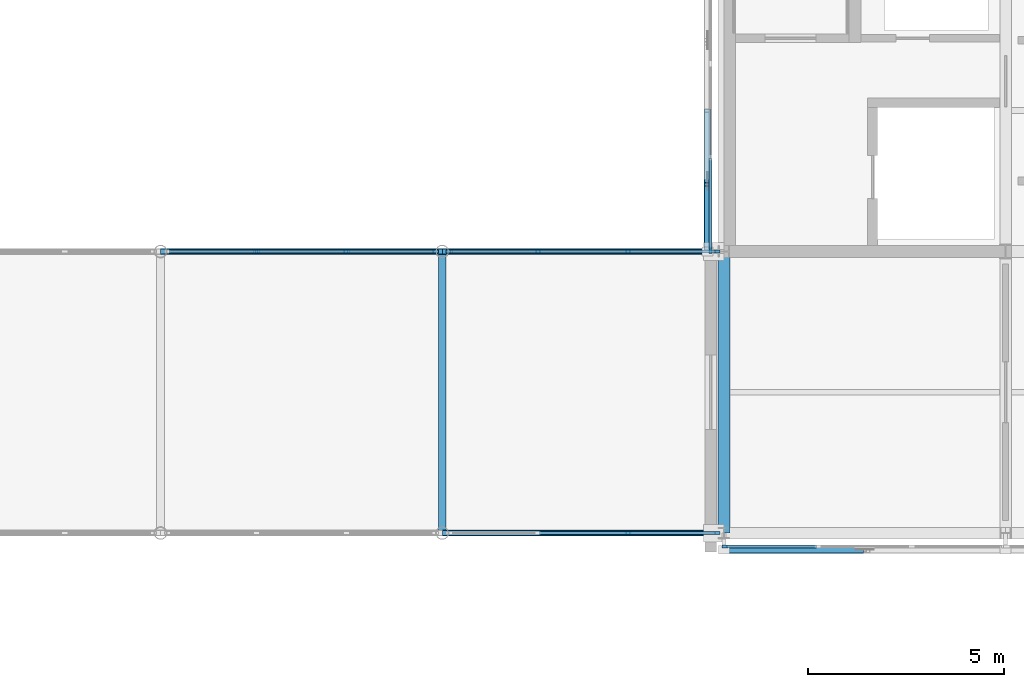
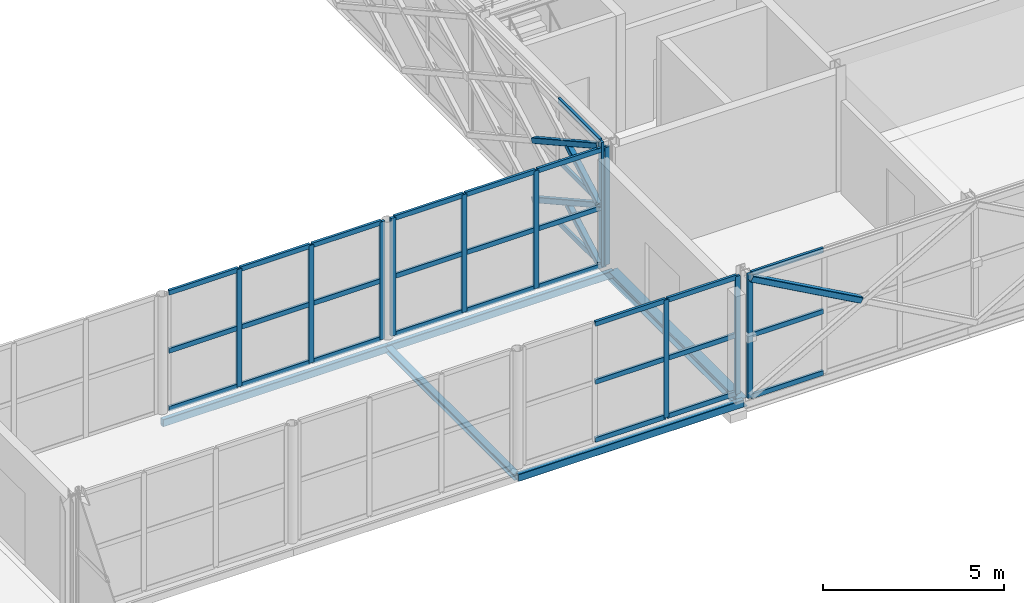
# One storey, part 49 of 103: 46 members, 5 beams, 5 elements without a shape of their own.
"""IFC4 building model written with IfcOpenShell, lengths in metres."""

from ifc_helpers import new_model, si_unit, direction, frame, origin, origin_2d, place, context, subcontext, project, spatial, rectangle, hollow_rectangle, i_section, extrude, material, material_profile, profile_set, type_object, element, aggregate, save


model = new_model("IFC4")

# Units and contexts
model_context = context("Model", 3, precision=1e-05, world=origin(), true_north=direction((0.0, 1.0)))
body_context = subcontext(model_context, "Body", "Model", "MODEL_VIEW")
ifc_project = project(units=[si_unit("LENGTHUNIT", "METRE"), si_unit("AREAUNIT", "SQUARE_METRE"), si_unit("VOLUMEUNIT", "CUBIC_METRE"), si_unit("PLANEANGLEUNIT", "RADIAN"), si_unit("MASSUNIT", "GRAM", prefix="KILO")], contexts=[model_context])

# Site, building, storey
site_placement = place(None, origin())
site = spatial("IfcSite", under=ifc_project, at=site_placement, CompositionType="ELEMENT")
building_placement = place(site_placement, origin())
building = spatial("IfcBuilding", under=site, at=building_placement, Name="Zlatovets Crest Museum", CompositionType="ELEMENT")
storey_placement = place(building_placement, frame((0.0, 0.0, 12.89990234375)))
storey = spatial("IfcBuildingStorey", under=building, at=storey_placement, Name="L03", CompositionType="ELEMENT", Elevation=12.89990234375)

# Beams
ifc_material_1 = material(Name="Structural steel S355J2", Category="steel")
ifc_material_profile_1 = material_profile(ifc_material_1, i_section(OverallWidth=0.300048828125, OverallDepth=0.31005859375, WebThickness=0.009033203125, FlangeThickness=0.015380859375, FilletRadius=0.027099609375, at=origin_2d()), Name="HEA 320")
ifc_profile_set_1 = profile_set([ifc_material_profile_1], Name="Structural steel S355J2")
beam_type_1 = type_object("IfcBeamType", Name="Beam_B-04", PredefinedType="BEAM", material=ifc_profile_set_1)
beam_1_placement = place(storey_placement, frame((57.60009765625, 86.39990234375, -0.39501953125), z_axis=(0.0, 1.0, 0.0), x_axis=(-1.0, 0.0, 0.0)))
element("IfcBeam", 1, at=beam_1_placement, inside=storey, type_object=beam_type_1, Name="V1 L03 Grid Beam B-04", PredefinedType="BEAM", context=body_context, shape_type="SweptSolid", body=[
    extrude(i_section(OverallWidth=0.300048828125, OverallDepth=0.31005859375, WebThickness=0.009033203125, FlangeThickness=0.015380859375, FilletRadius=0.027099609375, at=origin_2d()), origin(), (0.0, 0.0, 1.0), 7.2001953125),
])
ifc_material_profile_2 = material_profile(ifc_material_1, i_section(OverallWidth=0.199951171875, OverallDepth=0.18994140625, WebThickness=0.006591796875, FlangeThickness=0.010009765625, FilletRadius=0.01806640625, at=origin_2d()), Name="HEA 200")
ifc_profile_set_2 = profile_set([ifc_material_profile_2], Name="Structural steel S355J2")
beam_type_2 = type_object("IfcBeamType", Name="Beam_B-15", PredefinedType="BEAM", material=ifc_profile_set_2)
beam_2_placement = place(storey_placement, frame((50.39990234375, 86.39990234375, -0.364990234375), z_axis=(0.0, 1.0, 0.0), x_axis=(-1.0, 0.0, 0.0)))
element("IfcBeam", 2, at=beam_2_placement, inside=storey, type_object=beam_type_2, Name="Northwest Crest Glazed Link Bridge L03 Cross Beam", PredefinedType="BEAM", context=body_context, shape_type="SweptSolid", body=[
    extrude(i_section(OverallWidth=0.199951171875, OverallDepth=0.18994140625, WebThickness=0.006591796875, FlangeThickness=0.010009765625, FilletRadius=0.01806640625, at=origin_2d()), origin(), (0.0, 0.0, 1.0), 7.2001953125),
])
ifc_material_profile_3 = material_profile(ifc_material_1, hollow_rectangle(XDim=0.14990234375, YDim=0.25, WallThickness=0.010009765625, InnerFilletRadius=0.010009765625, OuterFilletRadius=0.02001953125, at=origin_2d()), Name="RHS 150x250x10.0")
ifc_profile_set_3 = profile_set([ifc_material_profile_3], Name="Structural steel S355J2")
beam_type_3 = type_object("IfcBeamType", Name="Beam_BRG-03", PredefinedType="BEAM", material=ifc_profile_set_3)
beam_3_placement = place(storey_placement, frame((50.39990234375, 86.39990234375, -0.364990234375), z_axis=(1.0, 0.0, 0.0), x_axis=(0.0, 1.0, 0.0)))
element("IfcBeam", 3, at=beam_3_placement, inside=storey, type_object=beam_type_3, Name="Northwest Crest Glazed Link Bridge L03 Stringer Beam", PredefinedType="BEAM", context=body_context, shape_type="SweptSolid", body=[
    extrude(hollow_rectangle(XDim=0.14990234375, YDim=0.25, WallThickness=0.010009765625, InnerFilletRadius=0.010009765625, OuterFilletRadius=0.02001953125, at=origin_2d()), origin(), (0.0, 0.0, 1.0), 7.2001953125),
])
beam_4_placement = place(storey_placement, frame((43.199951171875, 93.60009765625, -0.364990234375), z_axis=(1.0, 0.0, 0.0), x_axis=(0.0, 1.0, 0.0)))
element("IfcBeam", 4, at=beam_4_placement, inside=storey, type_object=beam_type_3, Name="Northwest Crest Glazed Link Bridge L03 Stringer Beam", PredefinedType="BEAM", context=body_context, shape_type="SweptSolid", body=[
    extrude(hollow_rectangle(XDim=0.14990234375, YDim=0.25, WallThickness=0.010009765625, InnerFilletRadius=0.010009765625, OuterFilletRadius=0.02001953125, at=origin_2d()), origin(), (0.0, 0.0, 1.0), 7.199951171875),
])
beam_5_placement = place(storey_placement, frame((50.39990234375, 93.60009765625, -0.364990234375), z_axis=(1.0, 0.0, 0.0), x_axis=(0.0, 1.0, 0.0)))
element("IfcBeam", 5, at=beam_5_placement, inside=storey, type_object=beam_type_3, Name="Northwest Crest Glazed Link Bridge L03 Stringer Beam", PredefinedType="BEAM", context=body_context, shape_type="SweptSolid", body=[
    extrude(hollow_rectangle(XDim=0.14990234375, YDim=0.25, WallThickness=0.010009765625, InnerFilletRadius=0.010009765625, OuterFilletRadius=0.02001953125, at=origin_2d()), origin(), (0.0, 0.0, 1.0), 7.2001953125),
])

# Curtain wall, member
ifc_material_2 = material(Name="Bronze-anodised aluminium and low-E triple glass", Category="aluminium")
curtain_wall_type_1 = type_object("IfcCurtainWallType", Name="CW_CW-V1-L03-M0", PredefinedType="NOTDEFINED", material=ifc_material_2)
curtain_wall_1_placement = place(storey_placement, origin())
curtain_wall_1 = element("IfcCurtainWall", 6, at=curtain_wall_1_placement, inside=storey, type_object=curtain_wall_type_1, Name="V1 L03 Secession Foyer Clear Curtain Wall", PredefinedType="NOTDEFINED")
ifc_material_3 = material(Name="Bronze-anodised aluminium EN AW-6060", Category="aluminium")
ifc_material_profile_4 = material_profile(ifc_material_3, rectangle(XDim=0.080078125, YDim=0.159912109375, at=origin_2d()), Name="ALU 80x160")
ifc_profile_set_4 = profile_set([ifc_material_profile_4], Name="Bronze-anodised aluminium EN AW-6060")
member_type_1 = type_object("IfcMemberType", Name="CWMull_M1", PredefinedType="MULLION", material=ifc_profile_set_4)
member_1_placement = place(storey_placement, frame((57.6298828125, 86.06005859375, 0.0), z_axis=(0.0, 0.0, 1.0), x_axis=(0.0, 1.0, 0.0)))
member_1 = element("IfcMember", 7, at=member_1_placement, type_object=member_type_1, Name="CW-V1-L03-M0 mullion 1", PredefinedType="MULLION", context=body_context, shape_type="SweptSolid", body=[
    extrude(rectangle(XDim=0.080078125, YDim=0.159912109375, at=origin_2d()), origin(), (0.0, 0.0, 1.0), 4.2001953125),
])

curtain_wall_2_placement = place(storey_placement, origin())
curtain_wall_2 = element("IfcCurtainWall", 8, at=curtain_wall_2_placement, inside=storey, type_object=curtain_wall_type_1, Name="V1 L03 Expressed Core Glazed Facade", PredefinedType="NOTDEFINED")
member_2_placement = place(storey_placement, frame((57.260009765625, 93.6298828125, 0.0), z_axis=(0.0, 0.0, 1.0), x_axis=(1.0, 0.0, 0.0)))
member_2 = element("IfcMember", 9, at=member_2_placement, type_object=member_type_1, Name="CW-V1-L03-M0 mullion 4", PredefinedType="MULLION", context=body_context, shape_type="SweptSolid", body=[
    extrude(rectangle(XDim=0.080078125, YDim=0.159912109375, at=origin_2d()), origin(), (0.0, 0.0, 1.0), 4.2001953125),
])

# Curtain wall, members
curtain_wall_type_2 = type_object("IfcCurtainWallType", Name="CW_CW-BR3-L03-S69", PredefinedType="NOTDEFINED", material=ifc_material_2)
curtain_wall_3_placement = place(storey_placement, origin())
curtain_wall_3 = element("IfcCurtainWall", 10, at=curtain_wall_3_placement, inside=storey, type_object=curtain_wall_type_2, Name="Northwest Crest Glazed Link Bridge L03 Glazed Bridge Curtain Wall", PredefinedType="NOTDEFINED")
member_3_placement = place(storey_placement, frame((55.14990234375, 86.39990234375, 0.0), z_axis=(0.0, 0.0, 1.0), x_axis=(0.0, 1.0, 0.0)))
member_3 = element("IfcMember", 11, at=member_3_placement, type_object=member_type_1, Name="CW-BR3-L03-S69 mullion 3", PredefinedType="MULLION", context=body_context, shape_type="SweptSolid", body=[
    extrude(rectangle(XDim=0.080078125, YDim=0.159912109375, at=origin_2d()), origin(), (0.0, 0.0, 1.0), 3.97998046875),
])
member_4_placement = place(storey_placement, frame((57.419921875, 86.39990234375, 0.0), z_axis=(0.0, 0.0, 1.0), x_axis=(0.0, 1.0, 0.0)))
member_4 = element("IfcMember", 12, at=member_4_placement, type_object=member_type_1, Name="CW-BR3-L03-S69 mullion 4", PredefinedType="MULLION", context=body_context, shape_type="SweptSolid", body=[
    extrude(rectangle(XDim=0.080078125, YDim=0.159912109375, at=origin_2d()), origin(), (0.0, 0.0, 1.0), 3.97998046875),
])

curtain_wall_4_placement = place(storey_placement, origin())
curtain_wall_4 = element("IfcCurtainWall", 13, at=curtain_wall_4_placement, inside=storey, type_object=curtain_wall_type_2, Name="Northwest Crest Glazed Link Bridge L03 Glazed Bridge Curtain Wall", PredefinedType="NOTDEFINED")
member_5_placement = place(storey_placement, frame((45.64990234375, 93.60009765625, 0.0), z_axis=(0.0, 0.0, 1.0), x_axis=(0.0, 1.0, 0.0)))
member_5 = element("IfcMember", 14, at=member_5_placement, type_object=member_type_1, Name="CW-BR3-L03-S69 mullion 2", PredefinedType="MULLION", context=body_context, shape_type="SweptSolid", body=[
    extrude(rectangle(XDim=0.080078125, YDim=0.159912109375, at=origin_2d()), origin(), (0.0, 0.0, 1.0), 3.97998046875),
])
member_6_placement = place(storey_placement, frame((47.949951171875, 93.60009765625, 0.0), z_axis=(0.0, 0.0, 1.0), x_axis=(0.0, 1.0, 0.0)))
member_6 = element("IfcMember", 15, at=member_6_placement, type_object=member_type_1, Name="CW-BR3-L03-S69 mullion 3", PredefinedType="MULLION", context=body_context, shape_type="SweptSolid", body=[
    extrude(rectangle(XDim=0.080078125, YDim=0.159912109375, at=origin_2d()), origin(), (0.0, 0.0, 1.0), 3.97998046875),
])
member_7_placement = place(storey_placement, frame((50.219970703125, 93.60009765625, 0.0), z_axis=(0.0, 0.0, 1.0), x_axis=(0.0, 1.0, 0.0)))
member_7 = element("IfcMember", 16, at=member_7_placement, type_object=member_type_1, Name="CW-BR3-L03-S69 mullion 4", PredefinedType="MULLION", context=body_context, shape_type="SweptSolid", body=[
    extrude(rectangle(XDim=0.080078125, YDim=0.159912109375, at=origin_2d()), origin(), (0.0, 0.0, 1.0), 3.97998046875),
])

curtain_wall_5_placement = place(storey_placement, origin())
curtain_wall_5 = element("IfcCurtainWall", 17, at=curtain_wall_5_placement, inside=storey, type_object=curtain_wall_type_2, Name="Northwest Crest Glazed Link Bridge L03 Glazed Bridge Curtain Wall", PredefinedType="NOTDEFINED")
member_8_placement = place(storey_placement, frame((50.580078125, 93.60009765625, 0.0), z_axis=(0.0, 0.0, 1.0), x_axis=(0.0, 1.0, 0.0)))
member_8 = element("IfcMember", 18, at=member_8_placement, type_object=member_type_1, Name="CW-BR3-L03-S69 mullion 1", PredefinedType="MULLION", context=body_context, shape_type="SweptSolid", body=[
    extrude(rectangle(XDim=0.080078125, YDim=0.159912109375, at=origin_2d()), origin(), (0.0, 0.0, 1.0), 3.97998046875),
])
member_9_placement = place(storey_placement, frame((52.85009765625, 93.60009765625, 0.0), z_axis=(0.0, 0.0, 1.0), x_axis=(0.0, 1.0, 0.0)))
member_9 = element("IfcMember", 19, at=member_9_placement, type_object=member_type_1, Name="CW-BR3-L03-S69 mullion 2", PredefinedType="MULLION", context=body_context, shape_type="SweptSolid", body=[
    extrude(rectangle(XDim=0.080078125, YDim=0.159912109375, at=origin_2d()), origin(), (0.0, 0.0, 1.0), 3.97998046875),
])
member_10_placement = place(storey_placement, frame((55.14990234375, 93.60009765625, 0.0), z_axis=(0.0, 0.0, 1.0), x_axis=(0.0, 1.0, 0.0)))
member_10 = element("IfcMember", 20, at=member_10_placement, type_object=member_type_1, Name="CW-BR3-L03-S69 mullion 3", PredefinedType="MULLION", context=body_context, shape_type="SweptSolid", body=[
    extrude(rectangle(XDim=0.080078125, YDim=0.159912109375, at=origin_2d()), origin(), (0.0, 0.0, 1.0), 3.97998046875),
])
member_11_placement = place(storey_placement, frame((57.419921875, 93.60009765625, 0.0), z_axis=(0.0, 0.0, 1.0), x_axis=(0.0, 1.0, 0.0)))
member_11 = element("IfcMember", 21, at=member_11_placement, type_object=member_type_1, Name="CW-BR3-L03-S69 mullion 4", PredefinedType="MULLION", context=body_context, shape_type="SweptSolid", body=[
    extrude(rectangle(XDim=0.080078125, YDim=0.159912109375, at=origin_2d()), origin(), (0.0, 0.0, 1.0), 3.97998046875),
])

# Member
ifc_material_profile_5 = material_profile(ifc_material_3, rectangle(XDim=0.080078125, YDim=0.159912109375, at=origin_2d()), Name="ALU 80x160")
ifc_profile_set_5 = profile_set([ifc_material_profile_5], Name="Bronze-anodised aluminium EN AW-6060")
member_type_2 = type_object("IfcMemberType", Name="CWTrans_T1", PredefinedType="USERDEFINED", material=ifc_profile_set_5)
member_12_placement = place(storey_placement, frame((57.659912109375, 86.06005859375, 0.030029296875), z_axis=(1.0, 0.0, 0.0), x_axis=(0.0, 1.0, 0.0)))
member_12 = element("IfcMember", 22, at=member_12_placement, type_object=member_type_2, Name="CW-V1-L03-M0 transom 1.1", ObjectType="TRANSOM", PredefinedType="USERDEFINED", context=body_context, shape_type="SweptSolid", body=[
    extrude(rectangle(XDim=0.080078125, YDim=0.159912109375, at=origin_2d()), origin(), (0.0, 0.0, 1.0), 2.31005859375),
])

member_13_placement = place(storey_placement, frame((57.659912109375, 86.06005859375, 2.10009765625), z_axis=(1.0, 0.0, 0.0), x_axis=(0.0, 1.0, 0.0)))
member_13 = element("IfcMember", 23, at=member_13_placement, type_object=member_type_2, Name="CW-V1-L03-M0 transom 1.2", ObjectType="TRANSOM", PredefinedType="USERDEFINED", context=body_context, shape_type="SweptSolid", body=[
    extrude(rectangle(XDim=0.080078125, YDim=0.159912109375, at=origin_2d()), origin(), (0.0, 0.0, 1.0), 2.31005859375),
])

member_14_placement = place(storey_placement, frame((57.659912109375, 86.06005859375, 4.170166015625), z_axis=(1.0, 0.0, 0.0), x_axis=(0.0, 1.0, 0.0)))
member_14 = element("IfcMember", 24, at=member_14_placement, type_object=member_type_2, Name="CW-V1-L03-M0 transom 1.3", ObjectType="TRANSOM", PredefinedType="USERDEFINED", context=body_context, shape_type="SweptSolid", body=[
    extrude(rectangle(XDim=0.080078125, YDim=0.159912109375, at=origin_2d()), origin(), (0.0, 0.0, 1.0), 2.31005859375),
])

aggregate(curtain_wall_1, [member_1, member_12, member_13, member_14])

member_15_placement = place(storey_placement, frame((57.260009765625, 95.969970703125, 0.030029296875), z_axis=(0.0, -1.0, 0.0), x_axis=(1.0, 0.0, 0.0)))
member_15 = element("IfcMember", 25, at=member_15_placement, type_object=member_type_2, Name="CW-V1-L03-M0 transom 3.1", ObjectType="TRANSOM", PredefinedType="USERDEFINED", context=body_context, shape_type="SweptSolid", body=[
    extrude(rectangle(XDim=0.080078125, YDim=0.159912109375, at=origin_2d()), origin(), (0.0, 0.0, 1.0), 2.31005859375),
])

member_16_placement = place(storey_placement, frame((57.260009765625, 95.969970703125, 2.10009765625), z_axis=(0.0, -1.0, 0.0), x_axis=(1.0, 0.0, 0.0)))
member_16 = element("IfcMember", 26, at=member_16_placement, type_object=member_type_2, Name="CW-V1-L03-M0 transom 3.2", ObjectType="TRANSOM", PredefinedType="USERDEFINED", context=body_context, shape_type="SweptSolid", body=[
    extrude(rectangle(XDim=0.080078125, YDim=0.159912109375, at=origin_2d()), origin(), (0.0, 0.0, 1.0), 2.31005859375),
])

member_17_placement = place(storey_placement, frame((57.260009765625, 95.969970703125, 4.170166015625), z_axis=(0.0, -1.0, 0.0), x_axis=(1.0, 0.0, 0.0)))
member_17 = element("IfcMember", 27, at=member_17_placement, type_object=member_type_2, Name="CW-V1-L03-M0 transom 3.3", ObjectType="TRANSOM", PredefinedType="USERDEFINED", context=body_context, shape_type="SweptSolid", body=[
    extrude(rectangle(XDim=0.080078125, YDim=0.159912109375, at=origin_2d()), origin(), (0.0, 0.0, 1.0), 2.31005859375),
])

aggregate(curtain_wall_2, [member_2, member_15, member_16, member_17])

member_18_placement = place(storey_placement, frame((52.8798828125, 86.39990234375, 0.030029296875), z_axis=(1.0, 0.0, 0.0), x_axis=(0.0, 1.0, 0.0)))
member_18 = element("IfcMember", 28, at=member_18_placement, type_object=member_type_2, Name="CW-BR3-L03-S69 transom 2.1", ObjectType="TRANSOM", PredefinedType="USERDEFINED", context=body_context, shape_type="SweptSolid", body=[
    extrude(rectangle(XDim=0.080078125, YDim=0.159912109375, at=origin_2d()), origin(), (0.0, 0.0, 1.0), 2.240234375),
])

member_19_placement = place(storey_placement, frame((52.8798828125, 86.39990234375, 1.989990234375), z_axis=(1.0, 0.0, 0.0), x_axis=(0.0, 1.0, 0.0)))
member_19 = element("IfcMember", 29, at=member_19_placement, type_object=member_type_2, Name="CW-BR3-L03-S69 transom 2.2", ObjectType="TRANSOM", PredefinedType="USERDEFINED", context=body_context, shape_type="SweptSolid", body=[
    extrude(rectangle(XDim=0.080078125, YDim=0.159912109375, at=origin_2d()), origin(), (0.0, 0.0, 1.0), 2.240234375),
])

member_20_placement = place(storey_placement, frame((52.8798828125, 86.39990234375, 3.9501953125), z_axis=(1.0, 0.0, 0.0), x_axis=(0.0, 1.0, 0.0)))
member_20 = element("IfcMember", 30, at=member_20_placement, type_object=member_type_2, Name="CW-BR3-L03-S69 transom 2.3", ObjectType="TRANSOM", PredefinedType="USERDEFINED", context=body_context, shape_type="SweptSolid", body=[
    extrude(rectangle(XDim=0.080078125, YDim=0.159912109375, at=origin_2d()), origin(), (0.0, 0.0, 1.0), 2.240234375),
])

member_21_placement = place(storey_placement, frame((55.179931640625, 86.39990234375, 0.030029296875), z_axis=(1.0, 0.0, 0.0), x_axis=(0.0, 1.0, 0.0)))
member_21 = element("IfcMember", 31, at=member_21_placement, type_object=member_type_2, Name="CW-BR3-L03-S69 transom 3.1", ObjectType="TRANSOM", PredefinedType="USERDEFINED", context=body_context, shape_type="SweptSolid", body=[
    extrude(rectangle(XDim=0.080078125, YDim=0.159912109375, at=origin_2d()), origin(), (0.0, 0.0, 1.0), 2.2099609375),
])

member_22_placement = place(storey_placement, frame((55.179931640625, 86.39990234375, 1.989990234375), z_axis=(1.0, 0.0, 0.0), x_axis=(0.0, 1.0, 0.0)))
member_22 = element("IfcMember", 32, at=member_22_placement, type_object=member_type_2, Name="CW-BR3-L03-S69 transom 3.2", ObjectType="TRANSOM", PredefinedType="USERDEFINED", context=body_context, shape_type="SweptSolid", body=[
    extrude(rectangle(XDim=0.080078125, YDim=0.159912109375, at=origin_2d()), origin(), (0.0, 0.0, 1.0), 2.2099609375),
])

member_23_placement = place(storey_placement, frame((55.179931640625, 86.39990234375, 3.9501953125), z_axis=(1.0, 0.0, 0.0), x_axis=(0.0, 1.0, 0.0)))
member_23 = element("IfcMember", 33, at=member_23_placement, type_object=member_type_2, Name="CW-BR3-L03-S69 transom 3.3", ObjectType="TRANSOM", PredefinedType="USERDEFINED", context=body_context, shape_type="SweptSolid", body=[
    extrude(rectangle(XDim=0.080078125, YDim=0.159912109375, at=origin_2d()), origin(), (0.0, 0.0, 1.0), 2.2099609375),
])

aggregate(curtain_wall_3, [member_3, member_4, member_18, member_19, member_20, member_21, member_22, member_23])

member_24_placement = place(storey_placement, frame((43.409912109375, 93.60009765625, 0.030029296875), z_axis=(1.0, 0.0, 0.0), x_axis=(0.0, 1.0, 0.0)))
member_24 = element("IfcMember", 34, at=member_24_placement, type_object=member_type_2, Name="CW-BR3-L03-S69 transom 1.1", ObjectType="TRANSOM", PredefinedType="USERDEFINED", context=body_context, shape_type="SweptSolid", body=[
    extrude(rectangle(XDim=0.080078125, YDim=0.159912109375, at=origin_2d()), origin(), (0.0, 0.0, 1.0), 2.210205078125),
])

member_25_placement = place(storey_placement, frame((43.409912109375, 93.60009765625, 1.989990234375), z_axis=(1.0, 0.0, 0.0), x_axis=(0.0, 1.0, 0.0)))
member_25 = element("IfcMember", 35, at=member_25_placement, type_object=member_type_2, Name="CW-BR3-L03-S69 transom 1.2", ObjectType="TRANSOM", PredefinedType="USERDEFINED", context=body_context, shape_type="SweptSolid", body=[
    extrude(rectangle(XDim=0.080078125, YDim=0.159912109375, at=origin_2d()), origin(), (0.0, 0.0, 1.0), 2.210205078125),
])

member_26_placement = place(storey_placement, frame((43.409912109375, 93.60009765625, 3.9501953125), z_axis=(1.0, 0.0, 0.0), x_axis=(0.0, 1.0, 0.0)))
member_26 = element("IfcMember", 36, at=member_26_placement, type_object=member_type_2, Name="CW-BR3-L03-S69 transom 1.3", ObjectType="TRANSOM", PredefinedType="USERDEFINED", context=body_context, shape_type="SweptSolid", body=[
    extrude(rectangle(XDim=0.080078125, YDim=0.159912109375, at=origin_2d()), origin(), (0.0, 0.0, 1.0), 2.210205078125),
])

member_27_placement = place(storey_placement, frame((45.679931640625, 93.60009765625, 0.030029296875), z_axis=(1.0, 0.0, 0.0), x_axis=(0.0, 1.0, 0.0)))
member_27 = element("IfcMember", 37, at=member_27_placement, type_object=member_type_2, Name="CW-BR3-L03-S69 transom 2.1", ObjectType="TRANSOM", PredefinedType="USERDEFINED", context=body_context, shape_type="SweptSolid", body=[
    extrude(rectangle(XDim=0.080078125, YDim=0.159912109375, at=origin_2d()), origin(), (0.0, 0.0, 1.0), 2.239990234375),
])

member_28_placement = place(storey_placement, frame((45.679931640625, 93.60009765625, 1.989990234375), z_axis=(1.0, 0.0, 0.0), x_axis=(0.0, 1.0, 0.0)))
member_28 = element("IfcMember", 38, at=member_28_placement, type_object=member_type_2, Name="CW-BR3-L03-S69 transom 2.2", ObjectType="TRANSOM", PredefinedType="USERDEFINED", context=body_context, shape_type="SweptSolid", body=[
    extrude(rectangle(XDim=0.080078125, YDim=0.159912109375, at=origin_2d()), origin(), (0.0, 0.0, 1.0), 2.239990234375),
])

member_29_placement = place(storey_placement, frame((45.679931640625, 93.60009765625, 3.9501953125), z_axis=(1.0, 0.0, 0.0), x_axis=(0.0, 1.0, 0.0)))
member_29 = element("IfcMember", 39, at=member_29_placement, type_object=member_type_2, Name="CW-BR3-L03-S69 transom 2.3", ObjectType="TRANSOM", PredefinedType="USERDEFINED", context=body_context, shape_type="SweptSolid", body=[
    extrude(rectangle(XDim=0.080078125, YDim=0.159912109375, at=origin_2d()), origin(), (0.0, 0.0, 1.0), 2.239990234375),
])

member_30_placement = place(storey_placement, frame((47.97998046875, 93.60009765625, 0.030029296875), z_axis=(1.0, 0.0, 0.0), x_axis=(0.0, 1.0, 0.0)))
member_30 = element("IfcMember", 40, at=member_30_placement, type_object=member_type_2, Name="CW-BR3-L03-S69 transom 3.1", ObjectType="TRANSOM", PredefinedType="USERDEFINED", context=body_context, shape_type="SweptSolid", body=[
    extrude(rectangle(XDim=0.080078125, YDim=0.159912109375, at=origin_2d()), origin(), (0.0, 0.0, 1.0), 2.2099609375),
])

member_31_placement = place(storey_placement, frame((47.97998046875, 93.60009765625, 1.989990234375), z_axis=(1.0, 0.0, 0.0), x_axis=(0.0, 1.0, 0.0)))
member_31 = element("IfcMember", 41, at=member_31_placement, type_object=member_type_2, Name="CW-BR3-L03-S69 transom 3.2", ObjectType="TRANSOM", PredefinedType="USERDEFINED", context=body_context, shape_type="SweptSolid", body=[
    extrude(rectangle(XDim=0.080078125, YDim=0.159912109375, at=origin_2d()), origin(), (0.0, 0.0, 1.0), 2.2099609375),
])

member_32_placement = place(storey_placement, frame((47.97998046875, 93.60009765625, 3.9501953125), z_axis=(1.0, 0.0, 0.0), x_axis=(0.0, 1.0, 0.0)))
member_32 = element("IfcMember", 42, at=member_32_placement, type_object=member_type_2, Name="CW-BR3-L03-S69 transom 3.3", ObjectType="TRANSOM", PredefinedType="USERDEFINED", context=body_context, shape_type="SweptSolid", body=[
    extrude(rectangle(XDim=0.080078125, YDim=0.159912109375, at=origin_2d()), origin(), (0.0, 0.0, 1.0), 2.2099609375),
])

aggregate(curtain_wall_4, [member_5, member_6, member_7, member_24, member_25, member_26, member_27, member_28, member_29, member_30, member_31, member_32])

member_33_placement = place(storey_placement, frame((50.610107421875, 93.60009765625, 0.030029296875), z_axis=(1.0, 0.0, 0.0), x_axis=(0.0, 1.0, 0.0)))
member_33 = element("IfcMember", 43, at=member_33_placement, type_object=member_type_2, Name="CW-BR3-L03-S69 transom 1.1", ObjectType="TRANSOM", PredefinedType="USERDEFINED", context=body_context, shape_type="SweptSolid", body=[
    extrude(rectangle(XDim=0.080078125, YDim=0.159912109375, at=origin_2d()), origin(), (0.0, 0.0, 1.0), 2.2099609375),
])

member_34_placement = place(storey_placement, frame((50.610107421875, 93.60009765625, 1.989990234375), z_axis=(1.0, 0.0, 0.0), x_axis=(0.0, 1.0, 0.0)))
member_34 = element("IfcMember", 44, at=member_34_placement, type_object=member_type_2, Name="CW-BR3-L03-S69 transom 1.2", ObjectType="TRANSOM", PredefinedType="USERDEFINED", context=body_context, shape_type="SweptSolid", body=[
    extrude(rectangle(XDim=0.080078125, YDim=0.159912109375, at=origin_2d()), origin(), (0.0, 0.0, 1.0), 2.2099609375),
])

member_35_placement = place(storey_placement, frame((50.610107421875, 93.60009765625, 3.9501953125), z_axis=(1.0, 0.0, 0.0), x_axis=(0.0, 1.0, 0.0)))
member_35 = element("IfcMember", 45, at=member_35_placement, type_object=member_type_2, Name="CW-BR3-L03-S69 transom 1.3", ObjectType="TRANSOM", PredefinedType="USERDEFINED", context=body_context, shape_type="SweptSolid", body=[
    extrude(rectangle(XDim=0.080078125, YDim=0.159912109375, at=origin_2d()), origin(), (0.0, 0.0, 1.0), 2.2099609375),
])

member_36_placement = place(storey_placement, frame((52.8798828125, 93.60009765625, 0.030029296875), z_axis=(1.0, 0.0, 0.0), x_axis=(0.0, 1.0, 0.0)))
member_36 = element("IfcMember", 46, at=member_36_placement, type_object=member_type_2, Name="CW-BR3-L03-S69 transom 2.1", ObjectType="TRANSOM", PredefinedType="USERDEFINED", context=body_context, shape_type="SweptSolid", body=[
    extrude(rectangle(XDim=0.080078125, YDim=0.159912109375, at=origin_2d()), origin(), (0.0, 0.0, 1.0), 2.240234375),
])

member_37_placement = place(storey_placement, frame((52.8798828125, 93.60009765625, 1.989990234375), z_axis=(1.0, 0.0, 0.0), x_axis=(0.0, 1.0, 0.0)))
member_37 = element("IfcMember", 47, at=member_37_placement, type_object=member_type_2, Name="CW-BR3-L03-S69 transom 2.2", ObjectType="TRANSOM", PredefinedType="USERDEFINED", context=body_context, shape_type="SweptSolid", body=[
    extrude(rectangle(XDim=0.080078125, YDim=0.159912109375, at=origin_2d()), origin(), (0.0, 0.0, 1.0), 2.240234375),
])

member_38_placement = place(storey_placement, frame((52.8798828125, 93.60009765625, 3.9501953125), z_axis=(1.0, 0.0, 0.0), x_axis=(0.0, 1.0, 0.0)))
member_38 = element("IfcMember", 48, at=member_38_placement, type_object=member_type_2, Name="CW-BR3-L03-S69 transom 2.3", ObjectType="TRANSOM", PredefinedType="USERDEFINED", context=body_context, shape_type="SweptSolid", body=[
    extrude(rectangle(XDim=0.080078125, YDim=0.159912109375, at=origin_2d()), origin(), (0.0, 0.0, 1.0), 2.240234375),
])

member_39_placement = place(storey_placement, frame((55.179931640625, 93.60009765625, 0.030029296875), z_axis=(1.0, 0.0, 0.0), x_axis=(0.0, 1.0, 0.0)))
member_39 = element("IfcMember", 49, at=member_39_placement, type_object=member_type_2, Name="CW-BR3-L03-S69 transom 3.1", ObjectType="TRANSOM", PredefinedType="USERDEFINED", context=body_context, shape_type="SweptSolid", body=[
    extrude(rectangle(XDim=0.080078125, YDim=0.159912109375, at=origin_2d()), origin(), (0.0, 0.0, 1.0), 2.2099609375),
])

member_40_placement = place(storey_placement, frame((55.179931640625, 93.60009765625, 1.989990234375), z_axis=(1.0, 0.0, 0.0), x_axis=(0.0, 1.0, 0.0)))
member_40 = element("IfcMember", 50, at=member_40_placement, type_object=member_type_2, Name="CW-BR3-L03-S69 transom 3.2", ObjectType="TRANSOM", PredefinedType="USERDEFINED", context=body_context, shape_type="SweptSolid", body=[
    extrude(rectangle(XDim=0.080078125, YDim=0.159912109375, at=origin_2d()), origin(), (0.0, 0.0, 1.0), 2.2099609375),
])

member_41_placement = place(storey_placement, frame((55.179931640625, 93.60009765625, 3.9501953125), z_axis=(1.0, 0.0, 0.0), x_axis=(0.0, 1.0, 0.0)))
member_41 = element("IfcMember", 51, at=member_41_placement, type_object=member_type_2, Name="CW-BR3-L03-S69 transom 3.3", ObjectType="TRANSOM", PredefinedType="USERDEFINED", context=body_context, shape_type="SweptSolid", body=[
    extrude(rectangle(XDim=0.080078125, YDim=0.159912109375, at=origin_2d()), origin(), (0.0, 0.0, 1.0), 2.2099609375),
])

aggregate(curtain_wall_5, [member_8, member_9, member_10, member_11, member_33, member_34, member_35, member_36, member_37, member_38, member_39, member_40, member_41])

# Members
ifc_material_4 = material(Name="Weathering bronze-steel S355J2W", Category="steel")
ifc_material_profile_6 = material_profile(ifc_material_4, hollow_rectangle(XDim=0.179931640625, YDim=0.179931640625, WallThickness=0.010009765625, InnerFilletRadius=0.010009765625, OuterFilletRadius=0.02001953125, at=origin_2d()), Name="SHS 180x180x10.0")
ifc_profile_set_6 = profile_set([ifc_material_profile_6], Name="Weathering bronze-steel S355J2W")
member_type_3 = type_object("IfcMemberType", Name="Lattice_XL-01", PredefinedType="BRACE", material=ifc_profile_set_6)
member_42_placement = place(storey_placement, frame((57.179931640625, 97.199951171875, 0.10009765625), z_axis=(0.0, -0.874148886685, 0.485658031857), x_axis=(1.0, 0.0, 0.0)))
element("IfcMember", 52, at=member_42_placement, inside=storey, type_object=member_type_3, Name="Continuous Bronze Lattice Diagonal", PredefinedType="BRACE", context=body_context, shape_type="SweptSolid", body=[
    extrude(hollow_rectangle(XDim=0.179931640625, YDim=0.179931640625, WallThickness=0.010009765625, InnerFilletRadius=0.010009765625, OuterFilletRadius=0.02001953125, at=origin_2d()), origin(), (0.0, 0.0, 1.0), 4.1181640625),
])
member_43_placement = place(storey_placement, frame((57.179931640625, 95.31689453125, 1.053955078125), z_axis=(0.0, -0.874139684676, -0.48567459443), x_axis=(1.0, 0.0, 0.0)))
element("IfcMember", 53, at=member_43_placement, inside=storey, type_object=member_type_3, Name="Split Crossing Bronze Lattice Diagonal Lower", PredefinedType="BRACE", context=body_context, shape_type="SweptSolid", body=[
    extrude(hollow_rectangle(XDim=0.179931640625, YDim=0.179931640625, WallThickness=0.010009765625, InnerFilletRadius=0.010009765625, OuterFilletRadius=0.02001953125, at=origin_2d()), origin(), (0.0, 0.0, 1.0), 1.9638671875),
])
member_44_placement = place(storey_placement, frame((57.179931640625, 97.199951171875, 2.10009765625), z_axis=(0.0, -0.874148886685, 0.485658031857), x_axis=(1.0, 0.0, 0.0)))
element("IfcMember", 54, at=member_44_placement, inside=storey, type_object=member_type_3, Name="Continuous Bronze Lattice Diagonal", PredefinedType="BRACE", context=body_context, shape_type="SweptSolid", body=[
    extrude(hollow_rectangle(XDim=0.179931640625, YDim=0.179931640625, WallThickness=0.010009765625, InnerFilletRadius=0.010009765625, OuterFilletRadius=0.02001953125, at=origin_2d()), origin(), (0.0, 0.0, 1.0), 4.1181640625),
])
member_45_placement = place(storey_placement, frame((57.179931640625, 95.31689453125, 3.053955078125), z_axis=(0.0, -0.874139684676, -0.48567459443), x_axis=(1.0, 0.0, 0.0)))
element("IfcMember", 55, at=member_45_placement, inside=storey, type_object=member_type_3, Name="Split Crossing Bronze Lattice Diagonal Lower", PredefinedType="BRACE", context=body_context, shape_type="SweptSolid", body=[
    extrude(hollow_rectangle(XDim=0.179931640625, YDim=0.179931640625, WallThickness=0.010009765625, InnerFilletRadius=0.010009765625, OuterFilletRadius=0.02001953125, at=origin_2d()), origin(), (0.0, 0.0, 1.0), 1.9638671875),
])
ifc_material_profile_7 = material_profile(ifc_material_4, hollow_rectangle(XDim=0.199951171875, YDim=0.199951171875, WallThickness=0.012451171875, InnerFilletRadius=0.012451171875, OuterFilletRadius=0.02490234375, at=origin_2d()), Name="SHS 200x200x12.5")
ifc_profile_set_7 = profile_set([ifc_material_profile_7], Name="Weathering bronze-steel S355J2W")
member_type_4 = type_object("IfcMemberType", Name="Lattice_XL-02", PredefinedType="BRACE", material=ifc_profile_set_7)
member_46_placement = place(storey_placement, frame((57.60009765625, 85.97998046875, 4.10009765625), z_axis=(0.874151551165, 0.0, -0.485653235958), x_axis=(0.0, 1.0, 0.0)))
element("IfcMember", 56, at=member_46_placement, inside=storey, type_object=member_type_4, Name="Split Crossing Bronze Lattice Diagonal Upper", PredefinedType="BRACE", context=body_context, shape_type="SweptSolid", body=[
    extrude(hollow_rectangle(XDim=0.199951171875, YDim=0.199951171875, WallThickness=0.012451171875, InnerFilletRadius=0.012451171875, OuterFilletRadius=0.02490234375, at=origin_2d()), origin(), (0.0, 0.0, 1.0), 4.023193359375),
])

save(model, "model.ifc")
